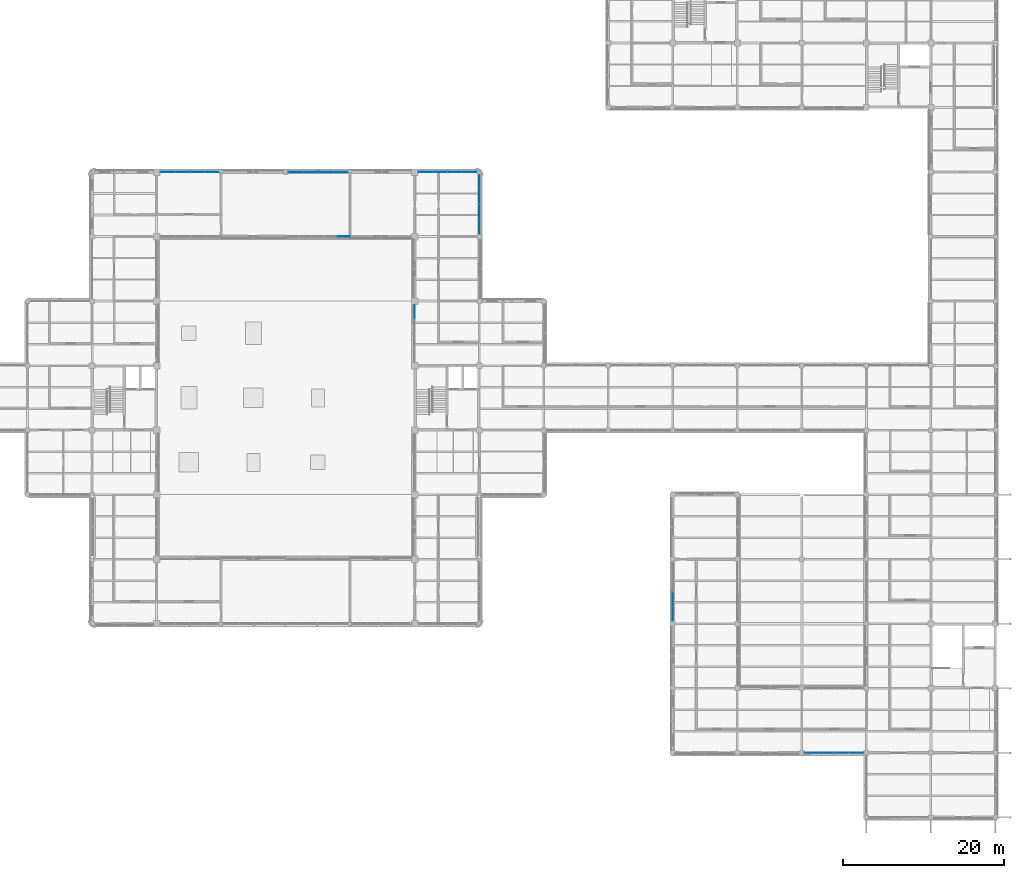
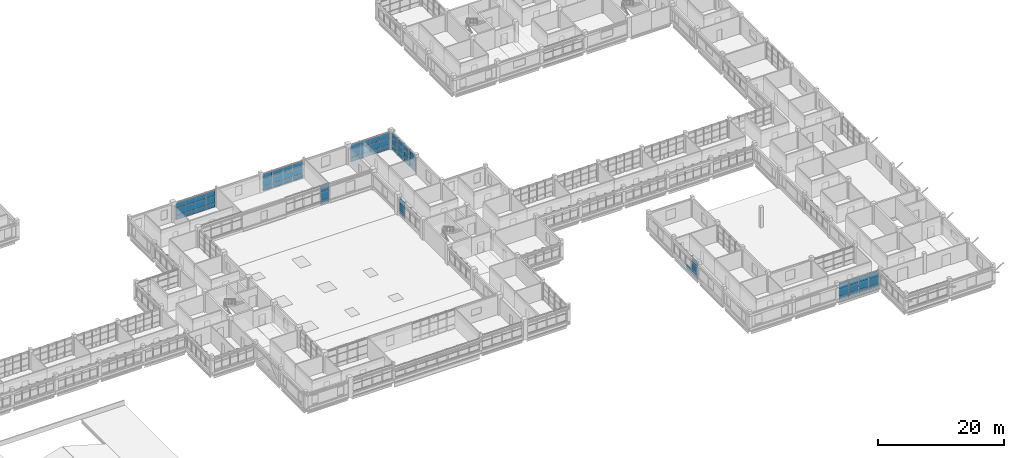
# One storey, part 64 of 107: 70 plates, 8 elements without a shape of their own.
"""IFC4 building model written with IfcOpenShell, lengths in metres."""

from ifc_helpers import new_model, si_unit, derived_unit, direction, frame, origin, origin_2d, place, context, subcontext, project, spatial, rectangle, extrude, material, layer, layer_set, type_object, element, aggregate, save


model = new_model("IFC4")

# Units and contexts
model_context = context("Model", 3, precision=1e-05, world=origin(), true_north=direction((0.0, 1.0)))
body_context = subcontext(model_context, "Body", "Model", "MODEL_VIEW")
ifc_project = project(units=[si_unit("LENGTHUNIT", "METRE"), si_unit("AREAUNIT", "SQUARE_METRE"), si_unit("VOLUMEUNIT", "CUBIC_METRE"), si_unit("PLANEANGLEUNIT", "RADIAN"), si_unit("MASSUNIT", "GRAM", prefix="KILO"), derived_unit("THERMALTRANSMITTANCEUNIT", [(si_unit("MASSUNIT", "GRAM", prefix="KILO"), 1), (si_unit("TIMEUNIT", "SECOND"), -3), (si_unit("THERMODYNAMICTEMPERATUREUNIT", "KELVIN"), -1)])], contexts=[model_context])

# Site, building, storey
site_placement = place(None, origin())
site = spatial("IfcSite", under=ifc_project, at=site_placement, CompositionType="ELEMENT")
building_placement = place(site_placement, origin())
building = spatial("IfcBuilding", under=site, at=building_placement, Name="Veyamyaing Civic Hall", CompositionType="ELEMENT")
storey_placement = place(building_placement, frame((0.0, 0.0, 13.860107421875)))
storey = spatial("IfcBuildingStorey", under=building, at=storey_placement, Name="L03", CompositionType="ELEMENT", Elevation=13.860107421875)

# Curtain wall, plates
ifc_material_1 = material(Name="Anodised aluminium 6063-T6", Category="aluminium")
ifc_layer_1 = layer(ifc_material_1, 0.159912109375, Name="Anodised aluminium 6063-T6")
ifc_layer_set_1 = layer_set([ifc_layer_1], Name="Anodised aluminium 6063-T6")
curtain_wall_type = type_object("IfcCurtainWallType", Name="CW-07", PredefinedType="NOTDEFINED", material=ifc_layer_set_1)
curtain_wall_1_placement = place(storey_placement, origin())
curtain_wall_1 = element("IfcCurtainWall", 1, at=curtain_wall_1_placement, inside=storey, type_object=curtain_wall_type, Name="Unitized curtain wall CW-07 L03 S 12.10", PredefinedType="NOTDEFINED")
ifc_material_2 = material(Name="Low-E insulated glass", Category="glass")
ifc_layer_2 = layer(ifc_material_2, 0.028076171875, Name="Low-E insulated glass")
ifc_layer_set_2 = layer_set([ifc_layer_2], Name="Low-E insulated glass")
plate_type_1 = type_object("IfcPlateType", Name="CWP-01", PredefinedType="CURTAIN_PANEL", material=ifc_layer_set_2)
plate_1_placement = place(storey_placement, frame((95.183837890625, 72.0, 0.06494140625), z_axis=(0.0, 0.0, 1.0), x_axis=(1.0, 0.0, 0.0)))
plate_1 = element("IfcPlate", 2, at=plate_1_placement, type_object=plate_type_1, Name="CW-07 panel 5.1", PredefinedType="CURTAIN_PANEL", context=body_context, shape_type="SweptSolid", body=[
    extrude(rectangle(XDim=1.50244140625, YDim=0.028076171875, at=origin_2d()), origin(), (0.0, 0.0, 1.0), 0.802490234375),
])
plate_2_placement = place(storey_placement, frame((95.183837890625, 72.0, 0.93212890625), z_axis=(0.0, 0.0, 1.0), x_axis=(1.0, 0.0, 0.0)))
plate_2 = element("IfcPlate", 3, at=plate_2_placement, type_object=plate_type_1, Name="CW-07 panel 5.2", PredefinedType="CURTAIN_PANEL", context=body_context, shape_type="SweptSolid", body=[
    extrude(rectangle(XDim=1.50244140625, YDim=0.028076171875, at=origin_2d()), origin(), (0.0, 0.0, 1.0), 1.568115234375),
])
plate_3_placement = place(storey_placement, frame((95.183837890625, 72.0, 2.5654296875), z_axis=(0.0, 0.0, 1.0), x_axis=(1.0, 0.0, 0.0)))
plate_3 = element("IfcPlate", 4, at=plate_3_placement, type_object=plate_type_1, Name="CW-07 panel 5.3", PredefinedType="CURTAIN_PANEL", context=body_context, shape_type="SweptSolid", body=[
    extrude(rectangle(XDim=1.50244140625, YDim=0.028076171875, at=origin_2d()), origin(), (0.0, 0.0, 1.0), 1.094482421875),
])
aggregate(curtain_wall_1, [plate_1, plate_2, plate_3])

curtain_wall_2_placement = place(storey_placement, origin())
curtain_wall_2 = element("IfcCurtainWall", 5, at=curtain_wall_2_placement, inside=storey, type_object=curtain_wall_type, Name="Unitized curtain wall CW-07 L03 N 12.10", PredefinedType="NOTDEFINED")
plate_4_placement = place(storey_placement, frame((89.25634765625, 80.0, 0.06494140625), z_axis=(0.0, 0.0, 1.0), x_axis=(1.0, 0.0, 0.0)))
plate_4 = element("IfcPlate", 6, at=plate_4_placement, type_object=plate_type_1, Name="CW-07 panel 1.1", PredefinedType="CURTAIN_PANEL", context=body_context, shape_type="SweptSolid", body=[
    extrude(rectangle(XDim=1.772705078125, YDim=0.028076171875, at=origin_2d()), origin(), (0.0, 0.0, 1.0), 0.802490234375),
])
plate_5_placement = place(storey_placement, frame((89.25634765625, 80.0, 0.9326171875), z_axis=(0.0, 0.0, 1.0), x_axis=(1.0, 0.0, 0.0)))
plate_5 = element("IfcPlate", 7, at=plate_5_placement, type_object=plate_type_1, Name="CW-07 panel 1.2", PredefinedType="CURTAIN_PANEL", context=body_context, shape_type="SweptSolid", body=[
    extrude(rectangle(XDim=1.772705078125, YDim=0.028076171875, at=origin_2d()), origin(), (0.0, 0.0, 1.0), 1.275634765625),
])
plate_6_placement = place(storey_placement, frame((89.25634765625, 80.0, 2.27294921875), z_axis=(0.0, 0.0, 1.0), x_axis=(1.0, 0.0, 0.0)))
plate_6 = element("IfcPlate", 8, at=plate_6_placement, type_object=plate_type_1, Name="CW-07 panel 1.3", PredefinedType="CURTAIN_PANEL", context=body_context, shape_type="SweptSolid", body=[
    extrude(rectangle(XDim=1.772705078125, YDim=0.028076171875, at=origin_2d()), origin(), (0.0, 0.0, 1.0), 0.956787109375),
])
plate_7_placement = place(storey_placement, frame((91.110107421875, 80.0, 0.06494140625), z_axis=(0.0, 0.0, 1.0), x_axis=(1.0, 0.0, 0.0)))
plate_7 = element("IfcPlate", 9, at=plate_7_placement, type_object=plate_type_1, Name="CW-07 panel 2.1", PredefinedType="CURTAIN_PANEL", context=body_context, shape_type="SweptSolid", body=[
    extrude(rectangle(XDim=1.80517578125, YDim=0.028076171875, at=origin_2d()), origin(), (0.0, 0.0, 1.0), 0.802490234375),
])
plate_8_placement = place(storey_placement, frame((91.110107421875, 80.0, 0.9326171875), z_axis=(0.0, 0.0, 1.0), x_axis=(1.0, 0.0, 0.0)))
plate_8 = element("IfcPlate", 10, at=plate_8_placement, type_object=plate_type_1, Name="CW-07 panel 2.2", PredefinedType="CURTAIN_PANEL", context=body_context, shape_type="SweptSolid", body=[
    extrude(rectangle(XDim=1.80517578125, YDim=0.028076171875, at=origin_2d()), origin(), (0.0, 0.0, 1.0), 1.275634765625),
])
plate_9_placement = place(storey_placement, frame((91.110107421875, 80.0, 2.27294921875), z_axis=(0.0, 0.0, 1.0), x_axis=(1.0, 0.0, 0.0)))
plate_9 = element("IfcPlate", 11, at=plate_9_placement, type_object=plate_type_1, Name="CW-07 panel 2.3", PredefinedType="CURTAIN_PANEL", context=body_context, shape_type="SweptSolid", body=[
    extrude(rectangle(XDim=1.80517578125, YDim=0.028076171875, at=origin_2d()), origin(), (0.0, 0.0, 1.0), 0.956787109375),
])
plate_10_placement = place(storey_placement, frame((92.980224609375, 80.0, 0.06494140625), z_axis=(0.0, 0.0, 1.0), x_axis=(1.0, 0.0, 0.0)))
plate_10 = element("IfcPlate", 12, at=plate_10_placement, type_object=plate_type_1, Name="CW-07 panel 3.1", PredefinedType="CURTAIN_PANEL", context=body_context, shape_type="SweptSolid", body=[
    extrude(rectangle(XDim=1.80517578125, YDim=0.028076171875, at=origin_2d()), origin(), (0.0, 0.0, 1.0), 0.802490234375),
])
plate_11_placement = place(storey_placement, frame((92.980224609375, 80.0, 0.9326171875), z_axis=(0.0, 0.0, 1.0), x_axis=(1.0, 0.0, 0.0)))
plate_11 = element("IfcPlate", 13, at=plate_11_placement, type_object=plate_type_1, Name="CW-07 panel 3.2", PredefinedType="CURTAIN_PANEL", context=body_context, shape_type="SweptSolid", body=[
    extrude(rectangle(XDim=1.80517578125, YDim=0.028076171875, at=origin_2d()), origin(), (0.0, 0.0, 1.0), 1.275634765625),
])
plate_12_placement = place(storey_placement, frame((92.980224609375, 80.0, 2.27294921875), z_axis=(0.0, 0.0, 1.0), x_axis=(1.0, 0.0, 0.0)))
plate_12 = element("IfcPlate", 14, at=plate_12_placement, type_object=plate_type_1, Name="CW-07 panel 3.3", PredefinedType="CURTAIN_PANEL", context=body_context, shape_type="SweptSolid", body=[
    extrude(rectangle(XDim=1.80517578125, YDim=0.028076171875, at=origin_2d()), origin(), (0.0, 0.0, 1.0), 0.956787109375),
])
plate_13_placement = place(storey_placement, frame((94.834228515625, 80.0, 0.06494140625), z_axis=(0.0, 0.0, 1.0), x_axis=(1.0, 0.0, 0.0)))
plate_13 = element("IfcPlate", 15, at=plate_13_placement, type_object=plate_type_1, Name="CW-07 panel 4.1", PredefinedType="CURTAIN_PANEL", context=body_context, shape_type="SweptSolid", body=[
    extrude(rectangle(XDim=1.772705078125, YDim=0.028076171875, at=origin_2d()), origin(), (0.0, 0.0, 1.0), 0.802490234375),
])
plate_14_placement = place(storey_placement, frame((94.834228515625, 80.0, 0.9326171875), z_axis=(0.0, 0.0, 1.0), x_axis=(1.0, 0.0, 0.0)))
plate_14 = element("IfcPlate", 16, at=plate_14_placement, type_object=plate_type_1, Name="CW-07 panel 4.2", PredefinedType="CURTAIN_PANEL", context=body_context, shape_type="SweptSolid", body=[
    extrude(rectangle(XDim=1.772705078125, YDim=0.028076171875, at=origin_2d()), origin(), (0.0, 0.0, 1.0), 1.275634765625),
])
plate_15_placement = place(storey_placement, frame((94.834228515625, 80.0, 2.27294921875), z_axis=(0.0, 0.0, 1.0), x_axis=(1.0, 0.0, 0.0)))
plate_15 = element("IfcPlate", 17, at=plate_15_placement, type_object=plate_type_1, Name="CW-07 panel 4.3", PredefinedType="CURTAIN_PANEL", context=body_context, shape_type="SweptSolid", body=[
    extrude(rectangle(XDim=1.772705078125, YDim=0.028076171875, at=origin_2d()), origin(), (0.0, 0.0, 1.0), 0.956787109375),
])
aggregate(curtain_wall_2, [plate_4, plate_5, plate_6, plate_7, plate_8, plate_9, plate_10, plate_11, plate_12, plate_13, plate_14, plate_15])

curtain_wall_3_placement = place(storey_placement, origin())
curtain_wall_3 = element("IfcCurtainWall", 18, at=curtain_wall_3_placement, inside=storey, type_object=curtain_wall_type, Name="Unitized curtain wall CW-07 L03 W 14.8", PredefinedType="NOTDEFINED")
plate_16_placement = place(storey_placement, frame((104.0, 62.6611328125, 0.06494140625), z_axis=(0.0, 0.0, 1.0), x_axis=(0.0, 1.0, 0.0)))
plate_16 = element("IfcPlate", 19, at=plate_16_placement, type_object=plate_type_1, Name="CW-07 panel 4.1", PredefinedType="CURTAIN_PANEL", context=body_context, shape_type="SweptSolid", body=[
    extrude(rectangle(XDim=1.6875, YDim=0.028076171875, at=origin_2d()), origin(), (0.0, 0.0, 1.0), 0.802490234375),
])
plate_17_placement = place(storey_placement, frame((104.0, 62.6611328125, 0.932373046875), z_axis=(0.0, 0.0, 1.0), x_axis=(0.0, 1.0, 0.0)))
plate_17 = element("IfcPlate", 20, at=plate_17_placement, type_object=plate_type_1, Name="CW-07 panel 4.2", PredefinedType="CURTAIN_PANEL", context=body_context, shape_type="SweptSolid", body=[
    extrude(rectangle(XDim=1.6875, YDim=0.028076171875, at=origin_2d()), origin(), (0.0, 0.0, 1.0), 1.32470703125),
])
plate_18_placement = place(storey_placement, frame((104.0, 62.6611328125, 2.322021484375), z_axis=(0.0, 0.0, 1.0), x_axis=(0.0, 1.0, 0.0)))
plate_18 = element("IfcPlate", 21, at=plate_18_placement, type_object=plate_type_1, Name="CW-07 panel 4.3", PredefinedType="CURTAIN_PANEL", context=body_context, shape_type="SweptSolid", body=[
    extrude(rectangle(XDim=1.6875, YDim=0.028076171875, at=origin_2d()), origin(), (0.0, 0.0, 1.0), 0.97998046875),
])
aggregate(curtain_wall_3, [plate_16, plate_17, plate_18])

curtain_wall_4_placement = place(storey_placement, origin())
curtain_wall_4 = element("IfcCurtainWall", 22, at=curtain_wall_4_placement, inside=storey, type_object=curtain_wall_type, Name="Unitized curtain wall CW-07 L03 W 18.4", PredefinedType="NOTDEFINED")
plate_19_placement = place(storey_placement, frame((136.0, 25.2451171875, 0.06494140625), z_axis=(0.0, 0.0, 1.0), x_axis=(0.0, 1.0, 0.0)))
plate_19 = element("IfcPlate", 23, at=plate_19_placement, type_object=plate_type_1, Name="CW-07 panel 1.1", PredefinedType="CURTAIN_PANEL", context=body_context, shape_type="SweptSolid", body=[
    extrude(rectangle(XDim=1.75, YDim=0.028076171875, at=origin_2d()), origin(), (0.0, 0.0, 1.0), 0.802490234375),
])
plate_20_placement = place(storey_placement, frame((136.0, 25.2451171875, 0.932373046875), z_axis=(0.0, 0.0, 1.0), x_axis=(0.0, 1.0, 0.0)))
plate_20 = element("IfcPlate", 24, at=plate_20_placement, type_object=plate_type_1, Name="CW-07 panel 1.2", PredefinedType="CURTAIN_PANEL", context=body_context, shape_type="SweptSolid", body=[
    extrude(rectangle(XDim=1.75, YDim=0.028076171875, at=origin_2d()), origin(), (0.0, 0.0, 1.0), 1.3212890625),
])
plate_21_placement = place(storey_placement, frame((136.0, 25.2451171875, 2.31884765625), z_axis=(0.0, 0.0, 1.0), x_axis=(0.0, 1.0, 0.0)))
plate_21 = element("IfcPlate", 25, at=plate_21_placement, type_object=plate_type_1, Name="CW-07 panel 1.3", PredefinedType="CURTAIN_PANEL", context=body_context, shape_type="SweptSolid", body=[
    extrude(rectangle(XDim=1.75, YDim=0.028076171875, at=origin_2d()), origin(), (0.0, 0.0, 1.0), 0.978271484375),
])
plate_22_placement = place(storey_placement, frame((136.0, 27.076171875, 0.06494140625), z_axis=(0.0, 0.0, 1.0), x_axis=(0.0, 1.0, 0.0)))
plate_22 = element("IfcPlate", 26, at=plate_22_placement, type_object=plate_type_1, Name="CW-07 panel 2.1", PredefinedType="CURTAIN_PANEL", context=body_context, shape_type="SweptSolid", body=[
    extrude(rectangle(XDim=1.782470703125, YDim=0.028076171875, at=origin_2d()), origin(), (0.0, 0.0, 1.0), 0.802490234375),
])
aggregate(curtain_wall_4, [plate_19, plate_20, plate_21, plate_22])

curtain_wall_5_placement = place(storey_placement, origin())
curtain_wall_5 = element("IfcCurtainWall", 27, at=curtain_wall_5_placement, inside=storey, type_object=curtain_wall_type, Name="Unitized curtain wall CW-07 L03 S 20.2", PredefinedType="NOTDEFINED")
plate_23_placement = place(storey_placement, frame((153.2451171875, 8.0, 0.06494140625), z_axis=(0.0, 0.0, 1.0), x_axis=(1.0, 0.0, 0.0)))
plate_23 = element("IfcPlate", 28, at=plate_23_placement, type_object=plate_type_1, Name="CW-07 panel 1.1", PredefinedType="CURTAIN_PANEL", context=body_context, shape_type="SweptSolid", body=[
    extrude(rectangle(XDim=1.75, YDim=0.028076171875, at=origin_2d()), origin(), (0.0, 0.0, 1.0), 0.802490234375),
])
plate_24_placement = place(storey_placement, frame((153.2451171875, 8.0, 0.932373046875), z_axis=(0.0, 0.0, 1.0), x_axis=(1.0, 0.0, 0.0)))
plate_24 = element("IfcPlate", 29, at=plate_24_placement, type_object=plate_type_1, Name="CW-07 panel 1.2", PredefinedType="CURTAIN_PANEL", context=body_context, shape_type="SweptSolid", body=[
    extrude(rectangle(XDim=1.75, YDim=0.028076171875, at=origin_2d()), origin(), (0.0, 0.0, 1.0), 1.32470703125),
])
plate_25_placement = place(storey_placement, frame((153.2451171875, 8.0, 2.322021484375), z_axis=(0.0, 0.0, 1.0), x_axis=(1.0, 0.0, 0.0)))
plate_25 = element("IfcPlate", 30, at=plate_25_placement, type_object=plate_type_1, Name="CW-07 panel 1.3", PredefinedType="CURTAIN_PANEL", context=body_context, shape_type="SweptSolid", body=[
    extrude(rectangle(XDim=1.75, YDim=0.028076171875, at=origin_2d()), origin(), (0.0, 0.0, 1.0), 0.97998046875),
])
plate_26_placement = place(storey_placement, frame((155.076171875, 8.0, 0.06494140625), z_axis=(0.0, 0.0, 1.0), x_axis=(1.0, 0.0, 0.0)))
plate_26 = element("IfcPlate", 31, at=plate_26_placement, type_object=plate_type_1, Name="CW-07 panel 2.1", PredefinedType="CURTAIN_PANEL", context=body_context, shape_type="SweptSolid", body=[
    extrude(rectangle(XDim=1.782470703125, YDim=0.028076171875, at=origin_2d()), origin(), (0.0, 0.0, 1.0), 0.802490234375),
])
plate_27_placement = place(storey_placement, frame((155.076171875, 8.0, 0.932373046875), z_axis=(0.0, 0.0, 1.0), x_axis=(1.0, 0.0, 0.0)))
plate_27 = element("IfcPlate", 32, at=plate_27_placement, type_object=plate_type_1, Name="CW-07 panel 2.2", PredefinedType="CURTAIN_PANEL", context=body_context, shape_type="SweptSolid", body=[
    extrude(rectangle(XDim=1.782470703125, YDim=0.028076171875, at=origin_2d()), origin(), (0.0, 0.0, 1.0), 1.32470703125),
])
plate_28_placement = place(storey_placement, frame((155.076171875, 8.0, 2.322021484375), z_axis=(0.0, 0.0, 1.0), x_axis=(1.0, 0.0, 0.0)))
plate_28 = element("IfcPlate", 33, at=plate_28_placement, type_object=plate_type_1, Name="CW-07 panel 2.3", PredefinedType="CURTAIN_PANEL", context=body_context, shape_type="SweptSolid", body=[
    extrude(rectangle(XDim=1.782470703125, YDim=0.028076171875, at=origin_2d()), origin(), (0.0, 0.0, 1.0), 0.97998046875),
])
plate_29_placement = place(storey_placement, frame((156.923828125, 8.0, 0.06494140625), z_axis=(0.0, 0.0, 1.0), x_axis=(1.0, 0.0, 0.0)))
plate_29 = element("IfcPlate", 34, at=plate_29_placement, type_object=plate_type_1, Name="CW-07 panel 3.1", PredefinedType="CURTAIN_PANEL", context=body_context, shape_type="SweptSolid", body=[
    extrude(rectangle(XDim=1.782470703125, YDim=0.028076171875, at=origin_2d()), origin(), (0.0, 0.0, 1.0), 0.802490234375),
])
plate_30_placement = place(storey_placement, frame((156.923828125, 8.0, 0.932373046875), z_axis=(0.0, 0.0, 1.0), x_axis=(1.0, 0.0, 0.0)))
plate_30 = element("IfcPlate", 35, at=plate_30_placement, type_object=plate_type_1, Name="CW-07 panel 3.2", PredefinedType="CURTAIN_PANEL", context=body_context, shape_type="SweptSolid", body=[
    extrude(rectangle(XDim=1.782470703125, YDim=0.028076171875, at=origin_2d()), origin(), (0.0, 0.0, 1.0), 1.32470703125),
])
plate_31_placement = place(storey_placement, frame((156.923828125, 8.0, 2.322021484375), z_axis=(0.0, 0.0, 1.0), x_axis=(1.0, 0.0, 0.0)))
plate_31 = element("IfcPlate", 36, at=plate_31_placement, type_object=plate_type_1, Name="CW-07 panel 3.3", PredefinedType="CURTAIN_PANEL", context=body_context, shape_type="SweptSolid", body=[
    extrude(rectangle(XDim=1.782470703125, YDim=0.028076171875, at=origin_2d()), origin(), (0.0, 0.0, 1.0), 0.97998046875),
])
plate_32_placement = place(storey_placement, frame((158.7548828125, 8.0, 0.06494140625), z_axis=(0.0, 0.0, 1.0), x_axis=(1.0, 0.0, 0.0)))
plate_32 = element("IfcPlate", 37, at=plate_32_placement, type_object=plate_type_1, Name="CW-07 panel 4.1", PredefinedType="CURTAIN_PANEL", context=body_context, shape_type="SweptSolid", body=[
    extrude(rectangle(XDim=1.75, YDim=0.028076171875, at=origin_2d()), origin(), (0.0, 0.0, 1.0), 0.802490234375),
])
plate_33_placement = place(storey_placement, frame((158.7548828125, 8.0, 0.932373046875), z_axis=(0.0, 0.0, 1.0), x_axis=(1.0, 0.0, 0.0)))
plate_33 = element("IfcPlate", 38, at=plate_33_placement, type_object=plate_type_1, Name="CW-07 panel 4.2", PredefinedType="CURTAIN_PANEL", context=body_context, shape_type="SweptSolid", body=[
    extrude(rectangle(XDim=1.75, YDim=0.028076171875, at=origin_2d()), origin(), (0.0, 0.0, 1.0), 1.32470703125),
])
plate_34_placement = place(storey_placement, frame((158.7548828125, 8.0, 2.322021484375), z_axis=(0.0, 0.0, 1.0), x_axis=(1.0, 0.0, 0.0)))
plate_34 = element("IfcPlate", 39, at=plate_34_placement, type_object=plate_type_1, Name="CW-07 panel 4.3", PredefinedType="CURTAIN_PANEL", context=body_context, shape_type="SweptSolid", body=[
    extrude(rectangle(XDim=1.75, YDim=0.028076171875, at=origin_2d()), origin(), (0.0, 0.0, 1.0), 0.97998046875),
])
aggregate(curtain_wall_5, [plate_23, plate_24, plate_25, plate_26, plate_27, plate_28, plate_29, plate_30, plate_31, plate_32, plate_33, plate_34])

curtain_wall_6_placement = place(storey_placement, origin())
curtain_wall_6 = element("IfcCurtainWall", 40, at=curtain_wall_6_placement, inside=storey, type_object=curtain_wall_type, Name="Unitized curtain wall CW-07 L03 N 14.10", PredefinedType="NOTDEFINED")
ifc_layer_3 = layer(ifc_material_2, 0.035888671875, Name="Low-E insulated glass")
ifc_layer_set_3 = layer_set([ifc_layer_3], Name="Low-E insulated glass")
plate_type_2 = type_object("IfcPlateType", Name="CWP-03", PredefinedType="CURTAIN_PANEL", material=ifc_layer_set_3)
plate_35_placement = place(storey_placement, frame((105.3544921875, 80.0, 0.06494140625), z_axis=(0.0, 0.0, 1.0), x_axis=(1.0, 0.0, 0.0)))
plate_35 = element("IfcPlate", 41, at=plate_35_placement, type_object=plate_type_2, Name="CW-07 panel 1.1", PredefinedType="CURTAIN_PANEL", context=body_context, shape_type="SweptSolid", body=[
    extrude(rectangle(XDim=1.71875, YDim=0.035888671875, at=origin_2d()), origin(), (0.0, 0.0, 1.0), 0.802490234375),
])
plate_36_placement = place(storey_placement, frame((105.3544921875, 80.0, 0.932373046875), z_axis=(0.0, 0.0, 1.0), x_axis=(1.0, 0.0, 0.0)))
plate_36 = element("IfcPlate", 42, at=plate_36_placement, type_object=plate_type_2, Name="CW-07 panel 1.2", PredefinedType="CURTAIN_PANEL", context=body_context, shape_type="SweptSolid", body=[
    extrude(rectangle(XDim=1.71875, YDim=0.035888671875, at=origin_2d()), origin(), (0.0, 0.0, 1.0), 1.28173828125),
])
plate_37_placement = place(storey_placement, frame((105.3544921875, 80.0, 2.279296875), z_axis=(0.0, 0.0, 1.0), x_axis=(1.0, 0.0, 0.0)))
plate_37 = element("IfcPlate", 43, at=plate_37_placement, type_object=plate_type_2, Name="CW-07 panel 1.3", PredefinedType="CURTAIN_PANEL", context=body_context, shape_type="SweptSolid", body=[
    extrude(rectangle(XDim=1.71875, YDim=0.035888671875, at=origin_2d()), origin(), (0.0, 0.0, 1.0), 0.959716796875),
])
plate_38_placement = place(storey_placement, frame((107.154296875, 80.0, 0.06494140625), z_axis=(0.0, 0.0, 1.0), x_axis=(1.0, 0.0, 0.0)))
plate_38 = element("IfcPlate", 44, at=plate_38_placement, type_object=plate_type_2, Name="CW-07 panel 2.1", PredefinedType="CURTAIN_PANEL", context=body_context, shape_type="SweptSolid", body=[
    extrude(rectangle(XDim=1.751220703125, YDim=0.035888671875, at=origin_2d()), origin(), (0.0, 0.0, 1.0), 0.802490234375),
])
plate_39_placement = place(storey_placement, frame((107.154296875, 80.0, 0.932373046875), z_axis=(0.0, 0.0, 1.0), x_axis=(1.0, 0.0, 0.0)))
plate_39 = element("IfcPlate", 45, at=plate_39_placement, type_object=plate_type_2, Name="CW-07 panel 2.2", PredefinedType="CURTAIN_PANEL", context=body_context, shape_type="SweptSolid", body=[
    extrude(rectangle(XDim=1.751220703125, YDim=0.035888671875, at=origin_2d()), origin(), (0.0, 0.0, 1.0), 1.28173828125),
])
plate_40_placement = place(storey_placement, frame((107.154296875, 80.0, 2.279296875), z_axis=(0.0, 0.0, 1.0), x_axis=(1.0, 0.0, 0.0)))
plate_40 = element("IfcPlate", 46, at=plate_40_placement, type_object=plate_type_2, Name="CW-07 panel 2.3", PredefinedType="CURTAIN_PANEL", context=body_context, shape_type="SweptSolid", body=[
    extrude(rectangle(XDim=1.751220703125, YDim=0.035888671875, at=origin_2d()), origin(), (0.0, 0.0, 1.0), 0.959716796875),
])
plate_41_placement = place(storey_placement, frame((108.970703125, 80.0, 0.06494140625), z_axis=(0.0, 0.0, 1.0), x_axis=(1.0, 0.0, 0.0)))
plate_41 = element("IfcPlate", 47, at=plate_41_placement, type_object=plate_type_2, Name="CW-07 panel 3.1", PredefinedType="CURTAIN_PANEL", context=body_context, shape_type="SweptSolid", body=[
    extrude(rectangle(XDim=1.751220703125, YDim=0.035888671875, at=origin_2d()), origin(), (0.0, 0.0, 1.0), 0.802490234375),
])
plate_42_placement = place(storey_placement, frame((108.970703125, 80.0, 0.932373046875), z_axis=(0.0, 0.0, 1.0), x_axis=(1.0, 0.0, 0.0)))
plate_42 = element("IfcPlate", 48, at=plate_42_placement, type_object=plate_type_2, Name="CW-07 panel 3.2", PredefinedType="CURTAIN_PANEL", context=body_context, shape_type="SweptSolid", body=[
    extrude(rectangle(XDim=1.751220703125, YDim=0.035888671875, at=origin_2d()), origin(), (0.0, 0.0, 1.0), 1.28173828125),
])
plate_43_placement = place(storey_placement, frame((108.970703125, 80.0, 2.279296875), z_axis=(0.0, 0.0, 1.0), x_axis=(1.0, 0.0, 0.0)))
plate_43 = element("IfcPlate", 49, at=plate_43_placement, type_object=plate_type_2, Name="CW-07 panel 3.3", PredefinedType="CURTAIN_PANEL", context=body_context, shape_type="SweptSolid", body=[
    extrude(rectangle(XDim=1.751220703125, YDim=0.035888671875, at=origin_2d()), origin(), (0.0, 0.0, 1.0), 0.959716796875),
])
plate_44_placement = place(storey_placement, frame((110.7705078125, 80.0, 0.06494140625), z_axis=(0.0, 0.0, 1.0), x_axis=(1.0, 0.0, 0.0)))
plate_44 = element("IfcPlate", 50, at=plate_44_placement, type_object=plate_type_2, Name="CW-07 panel 4.1", PredefinedType="CURTAIN_PANEL", context=body_context, shape_type="SweptSolid", body=[
    extrude(rectangle(XDim=1.71875, YDim=0.035888671875, at=origin_2d()), origin(), (0.0, 0.0, 1.0), 0.802490234375),
])
plate_45_placement = place(storey_placement, frame((110.7705078125, 80.0, 0.932373046875), z_axis=(0.0, 0.0, 1.0), x_axis=(1.0, 0.0, 0.0)))
plate_45 = element("IfcPlate", 51, at=plate_45_placement, type_object=plate_type_2, Name="CW-07 panel 4.2", PredefinedType="CURTAIN_PANEL", context=body_context, shape_type="SweptSolid", body=[
    extrude(rectangle(XDim=1.71875, YDim=0.035888671875, at=origin_2d()), origin(), (0.0, 0.0, 1.0), 1.28173828125),
])
plate_46_placement = place(storey_placement, frame((110.7705078125, 80.0, 2.279296875), z_axis=(0.0, 0.0, 1.0), x_axis=(1.0, 0.0, 0.0)))
plate_46 = element("IfcPlate", 52, at=plate_46_placement, type_object=plate_type_2, Name="CW-07 panel 4.3", PredefinedType="CURTAIN_PANEL", context=body_context, shape_type="SweptSolid", body=[
    extrude(rectangle(XDim=1.71875, YDim=0.035888671875, at=origin_2d()), origin(), (0.0, 0.0, 1.0), 0.959716796875),
])
aggregate(curtain_wall_6, [plate_35, plate_36, plate_37, plate_38, plate_39, plate_40, plate_41, plate_42, plate_43, plate_44, plate_45, plate_46])

curtain_wall_7_placement = place(storey_placement, origin())
curtain_wall_7 = element("IfcCurtainWall", 53, at=curtain_wall_7_placement, inside=storey, type_object=curtain_wall_type, Name="Unitized curtain wall CW-07 L03 E 14.10", PredefinedType="NOTDEFINED")
plate_47_placement = place(storey_placement, frame((112.0, 73.2451171875, 0.06494140625), z_axis=(0.0, 0.0, 1.0), x_axis=(0.0, 1.0, 0.0)))
plate_47 = element("IfcPlate", 54, at=plate_47_placement, type_object=plate_type_2, Name="CW-07 panel 1.1", PredefinedType="CURTAIN_PANEL", context=body_context, shape_type="SweptSolid", body=[
    extrude(rectangle(XDim=1.75, YDim=0.035888671875, at=origin_2d()), origin(), (0.0, 0.0, 1.0), 0.802490234375),
])
plate_48_placement = place(storey_placement, frame((112.0, 73.2451171875, 0.932373046875), z_axis=(0.0, 0.0, 1.0), x_axis=(0.0, 1.0, 0.0)))
plate_48 = element("IfcPlate", 55, at=plate_48_placement, type_object=plate_type_2, Name="CW-07 panel 1.2", PredefinedType="CURTAIN_PANEL", context=body_context, shape_type="SweptSolid", body=[
    extrude(rectangle(XDim=1.75, YDim=0.035888671875, at=origin_2d()), origin(), (0.0, 0.0, 1.0), 1.28173828125),
])
plate_49_placement = place(storey_placement, frame((112.0, 73.2451171875, 2.279296875), z_axis=(0.0, 0.0, 1.0), x_axis=(0.0, 1.0, 0.0)))
plate_49 = element("IfcPlate", 56, at=plate_49_placement, type_object=plate_type_2, Name="CW-07 panel 1.3", PredefinedType="CURTAIN_PANEL", context=body_context, shape_type="SweptSolid", body=[
    extrude(rectangle(XDim=1.75, YDim=0.035888671875, at=origin_2d()), origin(), (0.0, 0.0, 1.0), 0.959716796875),
])
plate_50_placement = place(storey_placement, frame((112.0, 75.076171875, 0.06494140625), z_axis=(0.0, 0.0, 1.0), x_axis=(0.0, 1.0, 0.0)))
plate_50 = element("IfcPlate", 57, at=plate_50_placement, type_object=plate_type_2, Name="CW-07 panel 2.1", PredefinedType="CURTAIN_PANEL", context=body_context, shape_type="SweptSolid", body=[
    extrude(rectangle(XDim=1.782470703125, YDim=0.035888671875, at=origin_2d()), origin(), (0.0, 0.0, 1.0), 0.802490234375),
])
plate_51_placement = place(storey_placement, frame((112.0, 75.076171875, 0.932373046875), z_axis=(0.0, 0.0, 1.0), x_axis=(0.0, 1.0, 0.0)))
plate_51 = element("IfcPlate", 58, at=plate_51_placement, type_object=plate_type_2, Name="CW-07 panel 2.2", PredefinedType="CURTAIN_PANEL", context=body_context, shape_type="SweptSolid", body=[
    extrude(rectangle(XDim=1.782470703125, YDim=0.035888671875, at=origin_2d()), origin(), (0.0, 0.0, 1.0), 1.28173828125),
])
plate_52_placement = place(storey_placement, frame((112.0, 75.076171875, 2.279296875), z_axis=(0.0, 0.0, 1.0), x_axis=(0.0, 1.0, 0.0)))
plate_52 = element("IfcPlate", 59, at=plate_52_placement, type_object=plate_type_2, Name="CW-07 panel 2.3", PredefinedType="CURTAIN_PANEL", context=body_context, shape_type="SweptSolid", body=[
    extrude(rectangle(XDim=1.782470703125, YDim=0.035888671875, at=origin_2d()), origin(), (0.0, 0.0, 1.0), 0.959716796875),
])
plate_53_placement = place(storey_placement, frame((112.0, 76.923828125, 0.06494140625), z_axis=(0.0, 0.0, 1.0), x_axis=(0.0, 1.0, 0.0)))
plate_53 = element("IfcPlate", 60, at=plate_53_placement, type_object=plate_type_2, Name="CW-07 panel 3.1", PredefinedType="CURTAIN_PANEL", context=body_context, shape_type="SweptSolid", body=[
    extrude(rectangle(XDim=1.782470703125, YDim=0.035888671875, at=origin_2d()), origin(), (0.0, 0.0, 1.0), 0.802490234375),
])
plate_54_placement = place(storey_placement, frame((112.0, 76.923828125, 0.932373046875), z_axis=(0.0, 0.0, 1.0), x_axis=(0.0, 1.0, 0.0)))
plate_54 = element("IfcPlate", 61, at=plate_54_placement, type_object=plate_type_2, Name="CW-07 panel 3.2", PredefinedType="CURTAIN_PANEL", context=body_context, shape_type="SweptSolid", body=[
    extrude(rectangle(XDim=1.782470703125, YDim=0.035888671875, at=origin_2d()), origin(), (0.0, 0.0, 1.0), 1.28173828125),
])
plate_55_placement = place(storey_placement, frame((112.0, 76.923828125, 2.279296875), z_axis=(0.0, 0.0, 1.0), x_axis=(0.0, 1.0, 0.0)))
plate_55 = element("IfcPlate", 62, at=plate_55_placement, type_object=plate_type_2, Name="CW-07 panel 3.3", PredefinedType="CURTAIN_PANEL", context=body_context, shape_type="SweptSolid", body=[
    extrude(rectangle(XDim=1.782470703125, YDim=0.035888671875, at=origin_2d()), origin(), (0.0, 0.0, 1.0), 0.959716796875),
])
plate_56_placement = place(storey_placement, frame((112.0, 78.7548828125, 0.06494140625), z_axis=(0.0, 0.0, 1.0), x_axis=(0.0, 1.0, 0.0)))
plate_56 = element("IfcPlate", 63, at=plate_56_placement, type_object=plate_type_2, Name="CW-07 panel 4.1", PredefinedType="CURTAIN_PANEL", context=body_context, shape_type="SweptSolid", body=[
    extrude(rectangle(XDim=1.75, YDim=0.035888671875, at=origin_2d()), origin(), (0.0, 0.0, 1.0), 0.802490234375),
])
plate_57_placement = place(storey_placement, frame((112.0, 78.7548828125, 0.932373046875), z_axis=(0.0, 0.0, 1.0), x_axis=(0.0, 1.0, 0.0)))
plate_57 = element("IfcPlate", 64, at=plate_57_placement, type_object=plate_type_2, Name="CW-07 panel 4.2", PredefinedType="CURTAIN_PANEL", context=body_context, shape_type="SweptSolid", body=[
    extrude(rectangle(XDim=1.75, YDim=0.035888671875, at=origin_2d()), origin(), (0.0, 0.0, 1.0), 1.28173828125),
])
plate_58_placement = place(storey_placement, frame((112.0, 78.7548828125, 2.279296875), z_axis=(0.0, 0.0, 1.0), x_axis=(0.0, 1.0, 0.0)))
plate_58 = element("IfcPlate", 65, at=plate_58_placement, type_object=plate_type_2, Name="CW-07 panel 4.3", PredefinedType="CURTAIN_PANEL", context=body_context, shape_type="SweptSolid", body=[
    extrude(rectangle(XDim=1.75, YDim=0.035888671875, at=origin_2d()), origin(), (0.0, 0.0, 1.0), 0.959716796875),
])
aggregate(curtain_wall_7, [plate_47, plate_48, plate_49, plate_50, plate_51, plate_52, plate_53, plate_54, plate_55, plate_56, plate_57, plate_58])

curtain_wall_8_placement = place(storey_placement, origin())
curtain_wall_8 = element("IfcCurtainWall", 66, at=curtain_wall_8_placement, inside=storey, type_object=curtain_wall_type, Name="Unitized curtain wall CW-07 L03 N 10.10", PredefinedType="NOTDEFINED")
ifc_layer_4 = layer(ifc_material_2, 0.0400390625, Name="Low-E insulated glass")
ifc_layer_set_4 = layer_set([ifc_layer_4], Name="Low-E insulated glass")
plate_type_3 = type_object("IfcPlateType", Name="CWP-05", PredefinedType="CURTAIN_PANEL", material=ifc_layer_set_4)
plate_59_placement = place(storey_placement, frame((73.36572265625, 80.0, 0.06494140625), z_axis=(0.0, 0.0, 1.0), x_axis=(1.0, 0.0, 0.0)))
plate_59 = element("IfcPlate", 67, at=plate_59_placement, type_object=plate_type_3, Name="CW-07 panel 1.1", PredefinedType="CURTAIN_PANEL", context=body_context, shape_type="SweptSolid", body=[
    extrude(rectangle(XDim=1.741455078125, YDim=0.0400390625, at=origin_2d()), origin(), (0.0, 0.0, 1.0), 0.802490234375),
])
plate_60_placement = place(storey_placement, frame((73.36572265625, 80.0, 0.932373046875), z_axis=(0.0, 0.0, 1.0), x_axis=(1.0, 0.0, 0.0)))
plate_60 = element("IfcPlate", 68, at=plate_60_placement, type_object=plate_type_3, Name="CW-07 panel 1.2", PredefinedType="CURTAIN_PANEL", context=body_context, shape_type="SweptSolid", body=[
    extrude(rectangle(XDim=1.741455078125, YDim=0.0400390625, at=origin_2d()), origin(), (0.0, 0.0, 1.0), 1.2783203125),
])
plate_61_placement = place(storey_placement, frame((73.36572265625, 80.0, 2.27587890625), z_axis=(0.0, 0.0, 1.0), x_axis=(1.0, 0.0, 0.0)))
plate_61 = element("IfcPlate", 69, at=plate_61_placement, type_object=plate_type_3, Name="CW-07 panel 1.3", PredefinedType="CURTAIN_PANEL", context=body_context, shape_type="SweptSolid", body=[
    extrude(rectangle(XDim=1.741455078125, YDim=0.0400390625, at=origin_2d()), origin(), (0.0, 0.0, 1.0), 0.958251953125),
])
plate_62_placement = place(storey_placement, frame((75.188232421875, 80.0, 0.06494140625), z_axis=(0.0, 0.0, 1.0), x_axis=(1.0, 0.0, 0.0)))
plate_62 = element("IfcPlate", 70, at=plate_62_placement, type_object=plate_type_3, Name="CW-07 panel 2.1", PredefinedType="CURTAIN_PANEL", context=body_context, shape_type="SweptSolid", body=[
    extrude(rectangle(XDim=1.77392578125, YDim=0.0400390625, at=origin_2d()), origin(), (0.0, 0.0, 1.0), 0.802490234375),
])
plate_63_placement = place(storey_placement, frame((75.188232421875, 80.0, 0.932373046875), z_axis=(0.0, 0.0, 1.0), x_axis=(1.0, 0.0, 0.0)))
plate_63 = element("IfcPlate", 71, at=plate_63_placement, type_object=plate_type_3, Name="CW-07 panel 2.2", PredefinedType="CURTAIN_PANEL", context=body_context, shape_type="SweptSolid", body=[
    extrude(rectangle(XDim=1.77392578125, YDim=0.0400390625, at=origin_2d()), origin(), (0.0, 0.0, 1.0), 1.2783203125),
])
plate_64_placement = place(storey_placement, frame((75.188232421875, 80.0, 2.27587890625), z_axis=(0.0, 0.0, 1.0), x_axis=(1.0, 0.0, 0.0)))
plate_64 = element("IfcPlate", 72, at=plate_64_placement, type_object=plate_type_3, Name="CW-07 panel 2.3", PredefinedType="CURTAIN_PANEL", context=body_context, shape_type="SweptSolid", body=[
    extrude(rectangle(XDim=1.77392578125, YDim=0.0400390625, at=origin_2d()), origin(), (0.0, 0.0, 1.0), 0.958251953125),
])
plate_65_placement = place(storey_placement, frame((77.027099609375, 80.0, 0.06494140625), z_axis=(0.0, 0.0, 1.0), x_axis=(1.0, 0.0, 0.0)))
plate_65 = element("IfcPlate", 73, at=plate_65_placement, type_object=plate_type_3, Name="CW-07 panel 3.1", PredefinedType="CURTAIN_PANEL", context=body_context, shape_type="SweptSolid", body=[
    extrude(rectangle(XDim=1.77392578125, YDim=0.0400390625, at=origin_2d()), origin(), (0.0, 0.0, 1.0), 0.802490234375),
])
plate_66_placement = place(storey_placement, frame((77.027099609375, 80.0, 0.932373046875), z_axis=(0.0, 0.0, 1.0), x_axis=(1.0, 0.0, 0.0)))
plate_66 = element("IfcPlate", 74, at=plate_66_placement, type_object=plate_type_3, Name="CW-07 panel 3.2", PredefinedType="CURTAIN_PANEL", context=body_context, shape_type="SweptSolid", body=[
    extrude(rectangle(XDim=1.77392578125, YDim=0.0400390625, at=origin_2d()), origin(), (0.0, 0.0, 1.0), 1.2783203125),
])
plate_67_placement = place(storey_placement, frame((77.027099609375, 80.0, 2.27587890625), z_axis=(0.0, 0.0, 1.0), x_axis=(1.0, 0.0, 0.0)))
plate_67 = element("IfcPlate", 75, at=plate_67_placement, type_object=plate_type_3, Name="CW-07 panel 3.3", PredefinedType="CURTAIN_PANEL", context=body_context, shape_type="SweptSolid", body=[
    extrude(rectangle(XDim=1.77392578125, YDim=0.0400390625, at=origin_2d()), origin(), (0.0, 0.0, 1.0), 0.958251953125),
])
plate_68_placement = place(storey_placement, frame((78.849853515625, 80.0, 0.06494140625), z_axis=(0.0, 0.0, 1.0), x_axis=(1.0, 0.0, 0.0)))
plate_68 = element("IfcPlate", 76, at=plate_68_placement, type_object=plate_type_3, Name="CW-07 panel 4.1", PredefinedType="CURTAIN_PANEL", context=body_context, shape_type="SweptSolid", body=[
    extrude(rectangle(XDim=1.741455078125, YDim=0.0400390625, at=origin_2d()), origin(), (0.0, 0.0, 1.0), 0.802490234375),
])
plate_69_placement = place(storey_placement, frame((78.849853515625, 80.0, 0.932373046875), z_axis=(0.0, 0.0, 1.0), x_axis=(1.0, 0.0, 0.0)))
plate_69 = element("IfcPlate", 77, at=plate_69_placement, type_object=plate_type_3, Name="CW-07 panel 4.2", PredefinedType="CURTAIN_PANEL", context=body_context, shape_type="SweptSolid", body=[
    extrude(rectangle(XDim=1.741455078125, YDim=0.0400390625, at=origin_2d()), origin(), (0.0, 0.0, 1.0), 1.2783203125),
])
plate_70_placement = place(storey_placement, frame((78.849853515625, 80.0, 2.27587890625), z_axis=(0.0, 0.0, 1.0), x_axis=(1.0, 0.0, 0.0)))
plate_70 = element("IfcPlate", 78, at=plate_70_placement, type_object=plate_type_3, Name="CW-07 panel 4.3", PredefinedType="CURTAIN_PANEL", context=body_context, shape_type="SweptSolid", body=[
    extrude(rectangle(XDim=1.741455078125, YDim=0.0400390625, at=origin_2d()), origin(), (0.0, 0.0, 1.0), 0.958251953125),
])
aggregate(curtain_wall_8, [plate_59, plate_60, plate_61, plate_62, plate_63, plate_64, plate_65, plate_66, plate_67, plate_68, plate_69, plate_70])

save(model, "model.ifc")
